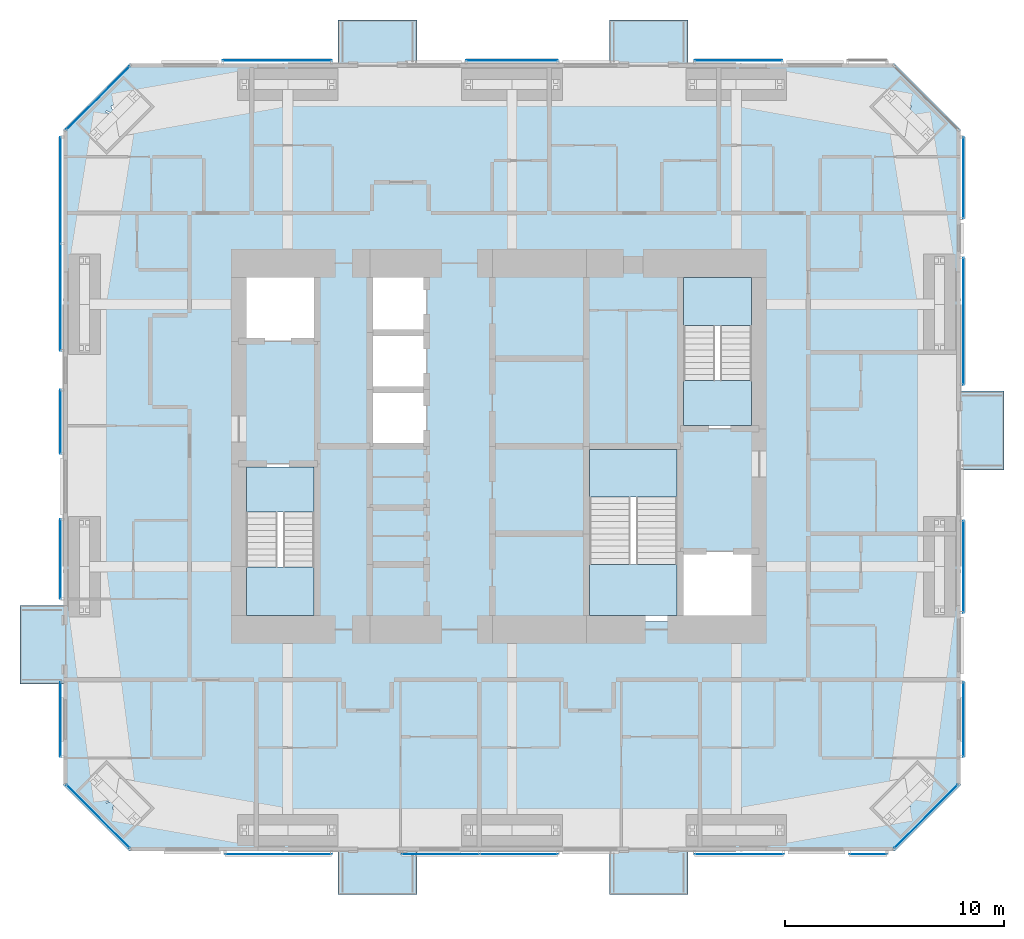
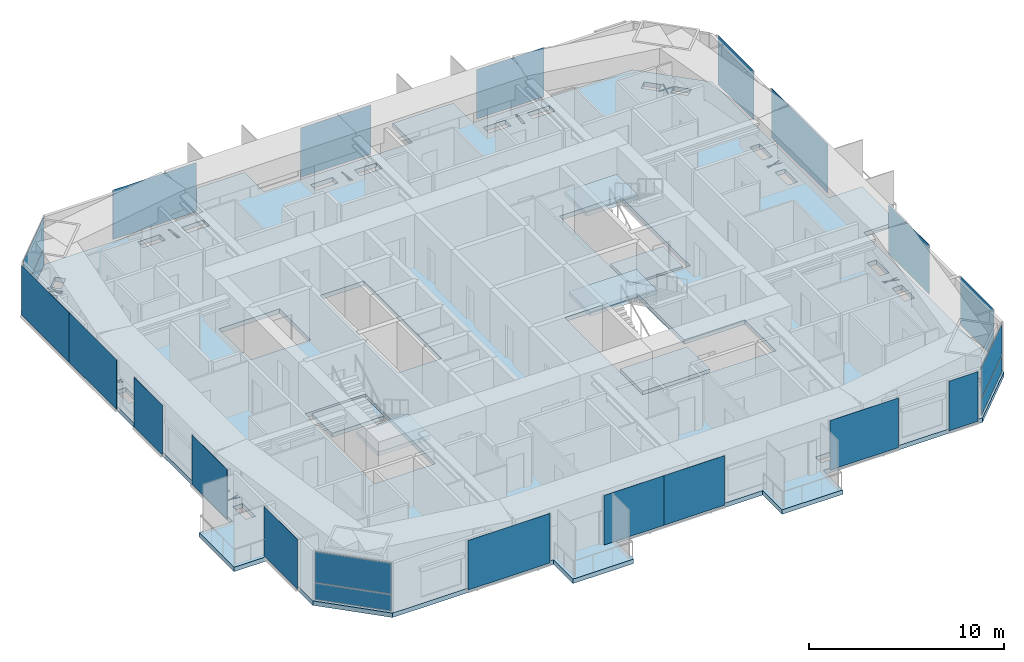
# One storey, part 14 of 22: 23 plates, 7 slabs, 21 elements without a shape of their own.
"""IFC4 building model written with IfcOpenShell, lengths in metres."""

from ifc_helpers import new_model, si_unit, direction, frame, origin, origin_2d, place, context, subcontext, project, spatial, polyline, rectangle, outline, extrude, material, layer, layer_set, type_object, element, aggregate, save


model = new_model("IFC4")

# Units and contexts
model_context = context("Model", 3, precision=1e-05, world=origin(), true_north=direction((0.0, 1.0)))
body_context = subcontext(model_context, "Body", "Model", "MODEL_VIEW")
ifc_project = project(units=[si_unit("LENGTHUNIT", "METRE"), si_unit("AREAUNIT", "SQUARE_METRE"), si_unit("VOLUMEUNIT", "CUBIC_METRE"), si_unit("PLANEANGLEUNIT", "RADIAN"), si_unit("MASSUNIT", "GRAM", prefix="KILO")], contexts=[model_context])

# Site, building, storey
site_placement = place(None, origin())
site = spatial("IfcSite", under=ifc_project, at=site_placement, CompositionType="ELEMENT")
building_placement = place(site_placement, origin())
building = spatial("IfcBuilding", under=site, at=building_placement, Name="Jalousie Tower", CompositionType="ELEMENT")
storey_placement = place(building_placement, frame((0.0, 0.0, 154.35009765625)))
storey = spatial("IfcBuildingStorey", under=building, at=storey_placement, Name="L41", CompositionType="ELEMENT", Elevation=154.35009765625)

# Curtain wall, plates
ifc_material_1 = material(Name="Aluminium curtain wall", Category="aluminium")
curtain_wall_type_1 = type_object("IfcCurtainWallType", Name="CORNER WINDOW WALL", PredefinedType="USERDEFINED", material=ifc_material_1)
curtain_wall_1_placement = place(storey_placement, origin())
curtain_wall_1 = element("IfcCurtainWall", 1, at=curtain_wall_1_placement, inside=storey, type_object=curtain_wall_type_1, Name="Corner Window Wall L41 2", ObjectType="CORNER WINDOW WALL", PredefinedType="USERDEFINED")
ifc_material_2 = material(Name="Laminated impact-rated spandrel glass", Category="glass")
ifc_layer_1 = layer(ifc_material_2, 0.028076171875)
ifc_layer_set_1 = layer_set([ifc_layer_1], Name="Laminated impact-rated spandrel glass")
plate_type_1 = type_object("IfcPlateType", Name="CORNER WINDOW WALL PANEL", PredefinedType="CURTAIN_PANEL", material=ifc_layer_set_1)
plate_1_placement = place(storey_placement, frame((51.4306640625, 1.5693359375, 0.06005859375), z_axis=(0.0, 0.0, 1.0), x_axis=(0.707106781187, 0.707106781187, 0.0)))
plate_1 = element("IfcPlate", 2, at=plate_1_placement, type_object=plate_type_1, Name="CW-C panel 1.1", PredefinedType="CURTAIN_PANEL", context=body_context, shape_type="SweptSolid", body=[
    extrude(rectangle(XDim=4.071533203125, YDim=0.028076171875, at=origin_2d()), origin(), (0.0, 0.0, 1.0), 1.010009765625),
])
plate_2_placement = place(storey_placement, frame((51.4306640625, 1.5693359375, 1.1298828125), z_axis=(0.0, 0.0, 1.0), x_axis=(0.707106781187, 0.707106781187, 0.0)))
plate_2 = element("IfcPlate", 3, at=plate_2_placement, type_object=plate_type_1, Name="CW-C panel 1.2", PredefinedType="CURTAIN_PANEL", context=body_context, shape_type="SweptSolid", body=[
    extrude(rectangle(XDim=4.071533203125, YDim=0.028076171875, at=origin_2d()), origin(), (0.0, 0.0, 1.0), 1.919921875),
])
aggregate(curtain_wall_1, [plate_1, plate_2])

curtain_wall_2_placement = place(storey_placement, origin())
curtain_wall_2 = element("IfcCurtainWall", 4, at=curtain_wall_2_placement, inside=storey, type_object=curtain_wall_type_1, Name="Corner Window Wall L41 6", ObjectType="CORNER WINDOW WALL", PredefinedType="USERDEFINED")
plate_3_placement = place(storey_placement, frame((13.5693359375, 34.4306640625, 0.06005859375), z_axis=(0.0, 0.0, 1.0), x_axis=(-0.707106781187, -0.707106781187, 0.0)))
plate_3 = element("IfcPlate", 5, at=plate_3_placement, type_object=plate_type_1, Name="CW-C panel 1.1", PredefinedType="CURTAIN_PANEL", context=body_context, shape_type="SweptSolid", body=[
    extrude(rectangle(XDim=4.071533203125, YDim=0.028076171875, at=origin_2d()), origin(), (0.0, 0.0, 1.0), 1.010009765625),
])
plate_4_placement = place(storey_placement, frame((13.5693359375, 34.4306640625, 1.1298828125), z_axis=(0.0, 0.0, 1.0), x_axis=(-0.707106781187, -0.707106781187, 0.0)))
plate_4 = element("IfcPlate", 6, at=plate_4_placement, type_object=plate_type_1, Name="CW-C panel 1.2", PredefinedType="CURTAIN_PANEL", context=body_context, shape_type="SweptSolid", body=[
    extrude(rectangle(XDim=4.071533203125, YDim=0.028076171875, at=origin_2d()), origin(), (0.0, 0.0, 1.0), 1.919921875),
])
aggregate(curtain_wall_2, [plate_3, plate_4])

curtain_wall_3_placement = place(storey_placement, origin())
curtain_wall_3 = element("IfcCurtainWall", 7, at=curtain_wall_3_placement, inside=storey, type_object=curtain_wall_type_1, Name="Corner Window Wall L41 8", ObjectType="CORNER WINDOW WALL", PredefinedType="USERDEFINED")
plate_5_placement = place(storey_placement, frame((13.5693359375, 1.5693359375, 0.06005859375), z_axis=(0.0, 0.0, 1.0), x_axis=(0.707106781187, -0.707106781187, 0.0)))
plate_5 = element("IfcPlate", 8, at=plate_5_placement, type_object=plate_type_1, Name="CW-C panel 1.1", PredefinedType="CURTAIN_PANEL", context=body_context, shape_type="SweptSolid", body=[
    extrude(rectangle(XDim=4.071533203125, YDim=0.028076171875, at=origin_2d()), origin(), (0.0, 0.0, 1.0), 1.010009765625),
])
plate_6_placement = place(storey_placement, frame((13.5693359375, 1.5693359375, 1.1298828125), z_axis=(0.0, 0.0, 1.0), x_axis=(0.707106781187, -0.707106781187, 0.0)))
plate_6 = element("IfcPlate", 9, at=plate_6_placement, type_object=plate_type_1, Name="CW-C panel 1.2", PredefinedType="CURTAIN_PANEL", context=body_context, shape_type="SweptSolid", body=[
    extrude(rectangle(XDim=4.071533203125, YDim=0.028076171875, at=origin_2d()), origin(), (0.0, 0.0, 1.0), 1.919921875),
])
aggregate(curtain_wall_3, [plate_5, plate_6])

# Slab
ifc_material_3 = material(Name="Concrete f'c 40 MPa", Category="concrete")
ifc_layer_2 = layer(ifc_material_3, 0.280029296875)
ifc_layer_set_2 = layer_set([ifc_layer_2], Name="Concrete f'c 40 MPa")
slab_type_1 = type_object("IfcSlabType", Name="FLOOR SLAB 280", PredefinedType="FLOOR", material=ifc_layer_set_2)
slab_1_placement = place(storey_placement, frame((0.0, 0.0, -0.280029296875)))
element("IfcSlab", 10, at=slab_1_placement, inside=storey, type_object=slab_type_1, Name="L41 floor slab", PredefinedType="FLOOR", context=body_context, shape_type="SweptSolid", body=[
    extrude(outline(polyline([(40.550048828125, 38.0), (40.550048828125, 36.0), (50.0, 36.0), (53.0, 33.0), (53.0, 21.02490234375), (55.0, 21.02490234375), (55.0, 17.425048828125), (53.0, 17.425048828125), (53.0, 3.0), (50.0, 0.0), (40.550048828125, 0.0), (40.550048828125, -2.0), (36.949951171875, -2.0), (36.949951171875, 0.0), (28.14990234375, 0.0), (28.14990234375, -2.0), (24.550048828125, -2.0), (24.550048828125, 0.0), (15.0, 0.0), (12.0, 3.0), (12.0, 7.625), (10.0, 7.625), (10.0, 11.22509765625), (12.0, 11.22509765625), (12.0, 33.0), (15.0, 36.0), (24.550048828125, 36.0), (24.550048828125, 38.0), (28.14990234375, 38.0), (28.14990234375, 36.0), (36.949951171875, 36.0), (36.949951171875, 38.0), (40.550048828125, 38.0)]), holes=[polyline([(52.050048828125, 13.0), (52.495361328125, 13.06494140625), (52.490966796875, 13.09521484375), (51.981201171875, 13.02099609375), (51.61962890625, 13.131591796875), (51.60693359375, 13.09033203125), (51.881103515625, 13.00634765625), (51.600341796875, 12.965576171875), (51.604736328125, 12.93505859375), (51.949951171875, 12.9853515625), (52.467529296875, 12.826904296875), (52.480224609375, 12.868408203125), (52.050048828125, 13.0)]), polyline([(51.624755859375, 24.852783203125), (51.98681640625, 24.978271484375), (52.490966796875, 24.90478515625), (52.495361328125, 24.93505859375), (52.050048828125, 25.0), (52.475341796875, 25.147216796875), (52.457763671875, 25.19775390625), (51.9345703125, 25.016845703125), (51.604736328125, 25.06494140625), (51.600341796875, 25.034423828125), (51.871337890625, 24.9951171875), (51.607177734375, 24.903564453125), (51.624755859375, 24.852783203125)]), polyline([(51.763916015625, 24.35400390625), (51.763916015625, 23.040283203125), (52.336181640625, 23.040283203125), (52.336181640625, 24.35400390625), (51.763916015625, 24.35400390625)]), polyline([(51.763916015625, 12.35400390625), (51.763916015625, 11.040283203125), (52.336181640625, 11.040283203125), (52.336181640625, 12.35400390625), (51.763916015625, 12.35400390625)]), polyline([(52.336181640625, 25.64599609375), (52.336181640625, 26.959716796875), (51.763916015625, 26.959716796875), (51.763916015625, 25.64599609375), (52.336181640625, 25.64599609375)]), polyline([(52.336181640625, 13.64599609375), (52.336181640625, 14.959716796875), (51.763916015625, 14.959716796875), (51.763916015625, 13.64599609375), (52.336181640625, 13.64599609375)]), polyline([(51.3330078125, 3.434814453125), (50.67724609375, 2.779052734375), (51.04638671875, 2.409912109375), (50.645263671875, 2.39404296875), (50.59130859375, 2.79443359375), (50.538330078125, 2.787353515625), (50.591552734375, 2.39208984375), (50.199951171875, 2.37646484375), (50.201904296875, 2.330810546875), (50.597900390625, 2.346435546875), (50.65869140625, 1.8955078125), (50.711669921875, 1.902587890625), (50.651611328125, 2.348388671875), (51.10107421875, 2.3662109375), (51.10009765625, 2.392333984375), (51.73779296875, 3.030029296875), (51.3330078125, 3.434814453125)]), polyline([(51.10107421875, 33.633056640625), (50.651611328125, 33.651611328125), (50.75439453125, 34.089599609375), (50.704345703125, 34.101318359375), (50.59912109375, 33.653564453125), (50.201904296875, 33.669921875), (50.198974609375, 33.597412109375), (50.58203125, 33.581787109375), (50.498291015625, 33.22509765625), (50.548583984375, 33.21337890625), (50.634521484375, 33.57958984375), (51.020263671875, 33.563720703125), (50.67724609375, 33.220947265625), (51.3330078125, 32.565185546875), (51.73779296875, 32.969970703125), (51.10009765625, 33.607666015625), (51.10107421875, 33.633056640625)]), polyline([(50.220947265625, 2.32275390625), (49.565185546875, 1.6669921875), (49.969970703125, 1.26220703125), (50.62548828125, 1.91796875), (50.220947265625, 2.32275390625)]), polyline([(50.62548828125, 34.08203125), (49.969970703125, 34.73779296875), (49.565185546875, 34.3330078125), (50.220947265625, 33.67724609375), (50.62548828125, 34.08203125)]), polyline([(43.39599609375, 34.763916015625), (44.709716796875, 34.763916015625), (44.709716796875, 35.336181640625), (43.39599609375, 35.336181640625), (43.39599609375, 34.763916015625)]), polyline([(43.39599609375, 0.663818359375), (44.709716796875, 0.663818359375), (44.709716796875, 1.236083984375), (43.39599609375, 1.236083984375), (43.39599609375, 0.663818359375)]), polyline([(43.800048828125, 26.5), (40.199951171875, 26.5), (40.199951171875, 19.300048828125), (43.800048828125, 19.300048828125), (43.800048828125, 26.5)]), polyline([(40.199951171875, 18.5), (35.89990234375, 18.5), (35.89990234375, 10.5), (43.800048828125, 10.5), (43.800048828125, 13.699951171875), (40.199951171875, 13.699951171875), (40.199951171875, 18.5)]), polyline([(42.64208984375, 1.386962890625), (42.72412109375, 1.0546875), (42.72412109375, 0.5), (42.75, 0.5), (42.75, 0.949951171875), (42.85791015625, 0.51318359375), (42.970947265625, 0.541015625), (42.755126953125, 1.414794921875), (42.64208984375, 1.386962890625)]), polyline([(42.785400390625, 35.49853515625), (42.76025390625, 35.50048828125), (42.689208984375, 34.603515625), (42.8330078125, 34.591796875), (42.90576171875, 35.489013671875), (42.786376953125, 35.49853515625), (42.75, 35.050048828125), (42.785400390625, 35.49853515625)]), polyline([(42.10400390625, 35.336181640625), (40.790283203125, 35.336181640625), (40.790283203125, 34.763916015625), (42.10400390625, 34.763916015625), (42.10400390625, 35.336181640625)]), polyline([(40.790283203125, 1.236083984375), (40.790283203125, 0.663818359375), (42.10400390625, 0.663818359375), (42.10400390625, 1.236083984375), (40.790283203125, 1.236083984375)]), polyline([(33.14599609375, 34.763916015625), (34.459716796875, 34.763916015625), (34.459716796875, 35.336181640625), (33.14599609375, 35.336181640625), (33.14599609375, 34.763916015625)]), polyline([(33.14599609375, 0.663818359375), (34.459716796875, 0.663818359375), (34.459716796875, 1.236083984375), (33.14599609375, 1.236083984375), (33.14599609375, 0.663818359375)]), polyline([(32.486083984375, 35.1630859375), (32.44287109375, 34.60302734375), (32.46533203125, 34.601318359375), (32.5, 35.050048828125), (32.5546875, 34.603271484375), (32.6328125, 34.61279296875), (32.53076171875, 35.447998046875), (32.53466796875, 35.498779296875), (32.5244140625, 35.49951171875), (32.523681640625, 35.506103515625), (32.4453125, 35.49658203125), (32.486083984375, 35.1630859375)]), polyline([(32.47705078125, 1.39990234375), (32.47705078125, 0.5), (32.57958984375, 0.5), (32.57958984375, 1.39990234375), (32.47705078125, 1.39990234375)]), polyline([(31.85400390625, 35.336181640625), (30.540283203125, 35.336181640625), (30.540283203125, 34.763916015625), (31.85400390625, 34.763916015625), (31.85400390625, 35.336181640625)]), polyline([(31.85400390625, 1.236083984375), (30.540283203125, 1.236083984375), (30.540283203125, 0.663818359375), (31.85400390625, 0.663818359375), (31.85400390625, 1.236083984375)]), polyline([(26.0, 26.5), (26.0, 18.5), (28.60009765625, 18.5), (28.60009765625, 26.5), (26.0, 26.5)]), polyline([(22.89599609375, 34.763916015625), (24.209716796875, 34.763916015625), (24.209716796875, 35.336181640625), (22.89599609375, 35.336181640625), (22.89599609375, 34.763916015625)]), polyline([(22.89599609375, 0.663818359375), (24.209716796875, 0.663818359375), (24.209716796875, 1.236083984375), (22.89599609375, 1.236083984375), (22.89599609375, 0.663818359375)]), polyline([(23.60009765625, 26.5), (20.0, 26.5), (20.0, 23.300048828125), (23.60009765625, 23.300048828125), (23.60009765625, 26.5)]), polyline([(23.60009765625, 17.699951171875), (20.0, 17.699951171875), (20.0, 10.5), (23.60009765625, 10.5), (23.60009765625, 17.699951171875)]), polyline([(22.21142578125, 35.498779296875), (22.184814453125, 35.49755859375), (22.2255859375, 34.598388671875), (22.2705078125, 34.6005859375), (22.25, 35.050048828125), (22.306640625, 34.603515625), (22.3896484375, 34.614013671875), (22.2763671875, 35.507080078125), (22.21142578125, 35.498779296875)]), polyline([(22.26806640625, 1.40185546875), (22.267578125, 1.39990234375), (22.25, 1.39990234375), (22.25, 1.271484375), (22.14501953125, 0.51025390625), (22.1884765625, 0.504150390625), (22.25, 0.949951171875), (22.25, 0.5), (22.334716796875, 0.5), (22.334716796875, 1.39990234375), (22.281005859375, 1.39990234375), (22.26806640625, 1.40185546875)]), polyline([(21.60400390625, 35.336181640625), (20.290283203125, 35.336181640625), (20.290283203125, 34.763916015625), (21.60400390625, 34.763916015625), (21.60400390625, 35.336181640625)]), polyline([(20.290283203125, 1.236083984375), (20.290283203125, 0.663818359375), (21.60400390625, 0.663818359375), (21.60400390625, 1.236083984375), (20.290283203125, 1.236083984375)]), polyline([(14.378662109375, 1.922119140625), (14.504638671875, 2.412109375), (14.765380859375, 2.518310546875), (14.7509765625, 2.55322265625), (14.5166015625, 2.4580078125), (14.591796875, 2.75048828125), (14.460693359375, 2.7841796875), (14.3603515625, 2.394287109375), (13.91748046875, 2.214111328125), (13.931640625, 2.178955078125), (14.348388671875, 2.348388671875), (14.236328125, 1.91259765625), (14.367431640625, 1.87890625), (14.376953125, 1.915283203125), (15.030029296875, 1.26220703125), (15.434814453125, 1.6669921875), (14.779052734375, 2.32275390625), (14.378662109375, 1.922119140625)]), polyline([(14.779052734375, 33.67724609375), (15.434814453125, 34.3330078125), (15.030029296875, 34.73779296875), (14.37451171875, 34.08203125), (14.779052734375, 33.67724609375)]), polyline([(13.9208984375, 33.803466796875), (14.38671875, 33.56689453125), (14.533203125, 33.240966796875), (14.6494140625, 33.293212890625), (14.56787109375, 33.474853515625), (14.723388671875, 33.395751953125), (14.749755859375, 33.447509765625), (14.52978515625, 33.559326171875), (14.2802734375, 34.1142578125), (14.1640625, 34.06201171875), (14.348388671875, 33.651611328125), (13.947509765625, 33.85546875), (13.9208984375, 33.803466796875)]), polyline([(13.91796875, 33.62548828125), (13.26220703125, 32.969970703125), (13.6669921875, 32.565185546875), (14.32275390625, 33.220947265625), (13.91796875, 33.62548828125)]), polyline([(14.32275390625, 2.779052734375), (13.6669921875, 3.434814453125), (13.26220703125, 3.030029296875), (13.91796875, 2.37451171875), (14.32275390625, 2.779052734375)]), polyline([(12.513427734375, 12.890869140625), (12.83203125, 12.970458984375), (13.388916015625, 12.89013671875), (13.3955078125, 12.935791015625), (12.949951171875, 13.0), (13.38671875, 13.109130859375), (13.379638671875, 13.13671875), (12.8759765625, 13.0107421875), (12.504638671875, 13.064208984375), (12.498046875, 13.018798828125), (12.758056640625, 12.981201171875), (12.506591796875, 12.918212890625), (12.513427734375, 12.890869140625)]), polyline([(12.513427734375, 25.109130859375), (12.506591796875, 25.081787109375), (12.729248046875, 25.02587890625), (12.49609375, 24.990234375), (12.505126953125, 24.931640625), (12.877685546875, 24.989013671875), (13.379638671875, 24.86328125), (13.38671875, 24.890869140625), (12.949951171875, 25.0), (13.394775390625, 25.068359375), (13.3857421875, 25.126953125), (12.801513671875, 25.037109375), (12.513427734375, 25.109130859375)]), polyline([(12.663818359375, 24.35400390625), (12.663818359375, 23.040283203125), (13.236083984375, 23.040283203125), (13.236083984375, 24.35400390625), (12.663818359375, 24.35400390625)]), polyline([(12.663818359375, 12.35400390625), (12.663818359375, 11.040283203125), (13.236083984375, 11.040283203125), (13.236083984375, 12.35400390625), (12.663818359375, 12.35400390625)]), polyline([(13.236083984375, 25.64599609375), (13.236083984375, 26.959716796875), (12.663818359375, 26.959716796875), (12.663818359375, 25.64599609375), (13.236083984375, 25.64599609375)]), polyline([(13.236083984375, 13.64599609375), (13.236083984375, 14.959716796875), (12.663818359375, 14.959716796875), (12.663818359375, 13.64599609375), (13.236083984375, 13.64599609375)])]), origin(), (0.0, 0.0, 1.0), 0.280029296875),
])

# Curtain wall, plate
ifc_material_4 = material(Name="Perforated aluminium sheet", Category="aluminium")
curtain_wall_type_2 = type_object("IfcCurtainWallType", Name="SOLAR SCREEN SS-1", PredefinedType="USERDEFINED", material=ifc_material_4)
curtain_wall_4_placement = place(storey_placement, origin())
curtain_wall_4 = element("IfcCurtainWall", 11, at=curtain_wall_4_placement, inside=storey, type_object=curtain_wall_type_2, Name="Solar screen L41", ObjectType="SOLAR SCREEN SS-1", PredefinedType="USERDEFINED")
ifc_material_5 = material(Name="Perforated aluminium sheet", Category="aluminium")
ifc_layer_3 = layer(ifc_material_5, 0.006103515625)
ifc_layer_set_3 = layer_set([ifc_layer_3], Name="Perforated aluminium sheet")
plate_type_2 = type_object("IfcPlateType", Name="SOLAR SCREEN SS-1 PANEL", PredefinedType="CURTAIN_PANEL", material=ifc_layer_set_3)
plate_7_placement = place(storey_placement, frame((21.812744140625, -0.150390625, 0.0), z_axis=(0.0, 0.0, 1.0), x_axis=(1.0, 0.0, 0.0)))
plate_7 = element("IfcPlate", 12, at=plate_7_placement, type_object=plate_type_2, Name="SS1 perforated panel 1", PredefinedType="CURTAIN_PANEL", context=body_context, shape_type="SweptSolid", body=[
    extrude(rectangle(XDim=4.874267578125, YDim=0.006103515625, at=origin_2d()), origin(), (0.0, 0.0, 1.0), 3.110107421875),
])
aggregate(curtain_wall_4, [plate_7])

# Curtain wall, plates
curtain_wall_5_placement = place(storey_placement, origin())
curtain_wall_5 = element("IfcCurtainWall", 13, at=curtain_wall_5_placement, inside=storey, type_object=curtain_wall_type_2, Name="Solar screen L41", ObjectType="SOLAR SCREEN SS-1", PredefinedType="USERDEFINED")
plate_8_placement = place(storey_placement, frame((29.237548828125, -0.150390625, 0.0), z_axis=(0.0, 0.0, 1.0), x_axis=(1.0, 0.0, 0.0)))
plate_8 = element("IfcPlate", 14, at=plate_8_placement, type_object=plate_type_2, Name="SS1 perforated panel 1", PredefinedType="CURTAIN_PANEL", context=body_context, shape_type="SweptSolid", body=[
    extrude(rectangle(XDim=3.574951171875, YDim=0.006103515625, at=origin_2d()), origin(), (0.0, 0.0, 1.0), 3.110107421875),
])
plate_9_placement = place(storey_placement, frame((32.8125, -0.150390625, 0.0), z_axis=(0.0, 0.0, 1.0), x_axis=(1.0, 0.0, 0.0)))
plate_9 = element("IfcPlate", 15, at=plate_9_placement, type_object=plate_type_2, Name="SS1 perforated panel 2", PredefinedType="CURTAIN_PANEL", context=body_context, shape_type="SweptSolid", body=[
    extrude(rectangle(XDim=3.574951171875, YDim=0.006103515625, at=origin_2d()), origin(), (0.0, 0.0, 1.0), 3.110107421875),
])
aggregate(curtain_wall_5, [plate_8, plate_9])

# Curtain wall, plate
curtain_wall_6_placement = place(storey_placement, origin())
curtain_wall_6 = element("IfcCurtainWall", 16, at=curtain_wall_6_placement, inside=storey, type_object=curtain_wall_type_2, Name="Solar screen L41", ObjectType="SOLAR SCREEN SS-1", PredefinedType="USERDEFINED")
plate_10_placement = place(storey_placement, frame((42.885986328125, -0.150390625, 0.0), z_axis=(0.0, 0.0, 1.0), x_axis=(1.0, 0.0, 0.0)))
plate_10 = element("IfcPlate", 17, at=plate_10_placement, type_object=plate_type_2, Name="SS1 perforated panel 1", PredefinedType="CURTAIN_PANEL", context=body_context, shape_type="SweptSolid", body=[
    extrude(rectangle(XDim=4.07177734375, YDim=0.006103515625, at=origin_2d()), origin(), (0.0, 0.0, 1.0), 3.110107421875),
])
aggregate(curtain_wall_6, [plate_10])

curtain_wall_7_placement = place(storey_placement, origin())
curtain_wall_7 = element("IfcCurtainWall", 18, at=curtain_wall_7_placement, inside=storey, type_object=curtain_wall_type_2, Name="Solar screen L41", ObjectType="SOLAR SCREEN SS-1", PredefinedType="USERDEFINED")
plate_11_placement = place(storey_placement, frame((48.78515625, -0.150390625, 0.0), z_axis=(0.0, 0.0, 1.0), x_axis=(1.0, 0.0, 0.0)))
plate_11 = element("IfcPlate", 19, at=plate_11_placement, type_object=plate_type_2, Name="SS1 perforated panel 1", PredefinedType="CURTAIN_PANEL", context=body_context, shape_type="SweptSolid", body=[
    extrude(rectangle(XDim=1.72705078125, YDim=0.006103515625, at=origin_2d()), origin(), (0.0, 0.0, 1.0), 3.110107421875),
])
aggregate(curtain_wall_7, [plate_11])

curtain_wall_8_placement = place(storey_placement, origin())
curtain_wall_8 = element("IfcCurtainWall", 20, at=curtain_wall_8_placement, inside=storey, type_object=curtain_wall_type_2, Name="Solar screen L41", ObjectType="SOLAR SCREEN SS-1", PredefinedType="USERDEFINED")
plate_12_placement = place(storey_placement, frame((53.150390625, 6.01318359375, 0.0), z_axis=(0.0, 0.0, 1.0), x_axis=(0.0, 1.0, 0.0)))
plate_12 = element("IfcPlate", 21, at=plate_12_placement, type_object=plate_type_2, Name="SS1 perforated panel 1", PredefinedType="CURTAIN_PANEL", context=body_context, shape_type="SweptSolid", body=[
    extrude(rectangle(XDim=3.42333984375, YDim=0.006103515625, at=origin_2d()), origin(), (0.0, 0.0, 1.0), 3.110107421875),
])
aggregate(curtain_wall_8, [plate_12])

curtain_wall_9_placement = place(storey_placement, origin())
curtain_wall_9 = element("IfcCurtainWall", 22, at=curtain_wall_9_placement, inside=storey, type_object=curtain_wall_type_2, Name="Solar screen L41", ObjectType="SOLAR SCREEN SS-1", PredefinedType="USERDEFINED")
plate_13_placement = place(storey_placement, frame((53.150390625, 13.0, 0.0), z_axis=(0.0, 0.0, 1.0), x_axis=(0.0, 1.0, 0.0)))
plate_13 = element("IfcPlate", 23, at=plate_13_placement, type_object=plate_type_2, Name="SS1 perforated panel 1", PredefinedType="CURTAIN_PANEL", context=body_context, shape_type="SweptSolid", body=[
    extrude(rectangle(XDim=4.199951171875, YDim=0.006103515625, at=origin_2d()), origin(), (0.0, 0.0, 1.0), 3.110107421875),
])
aggregate(curtain_wall_9, [plate_13])

curtain_wall_10_placement = place(storey_placement, origin())
curtain_wall_10 = element("IfcCurtainWall", 24, at=curtain_wall_10_placement, inside=storey, type_object=curtain_wall_type_2, Name="Solar screen L41", ObjectType="SOLAR SCREEN SS-1", PredefinedType="USERDEFINED")
plate_14_placement = place(storey_placement, frame((53.150390625, 24.224853515625, 0.0), z_axis=(0.0, 0.0, 1.0), x_axis=(0.0, 1.0, 0.0)))
plate_14 = element("IfcPlate", 25, at=plate_14_placement, type_object=plate_type_2, Name="SS1 perforated panel 1", PredefinedType="CURTAIN_PANEL", context=body_context, shape_type="SweptSolid", body=[
    extrude(rectangle(XDim=5.799560546875, YDim=0.006103515625, at=origin_2d()), origin(), (0.0, 0.0, 1.0), 3.110107421875),
])
aggregate(curtain_wall_10, [plate_14])

curtain_wall_11_placement = place(storey_placement, origin())
curtain_wall_11 = element("IfcCurtainWall", 26, at=curtain_wall_11_placement, inside=storey, type_object=curtain_wall_type_2, Name="Solar screen L41", ObjectType="SOLAR SCREEN SS-1", PredefinedType="USERDEFINED")
plate_15_placement = place(storey_placement, frame((53.150390625, 30.78662109375, 0.0), z_axis=(0.0, 0.0, 1.0), x_axis=(0.0, 1.0, 0.0)))
plate_15 = element("IfcPlate", 27, at=plate_15_placement, type_object=plate_type_2, Name="SS1 perforated panel 1", PredefinedType="CURTAIN_PANEL", context=body_context, shape_type="SweptSolid", body=[
    extrude(rectangle(XDim=3.72412109375, YDim=0.006103515625, at=origin_2d()), origin(), (0.0, 0.0, 1.0), 3.110107421875),
])
aggregate(curtain_wall_11, [plate_15])

curtain_wall_12_placement = place(storey_placement, origin())
curtain_wall_12 = element("IfcCurtainWall", 28, at=curtain_wall_12_placement, inside=storey, type_object=curtain_wall_type_2, Name="Solar screen L41", ObjectType="SOLAR SCREEN SS-1", PredefinedType="USERDEFINED")
plate_16_placement = place(storey_placement, frame((42.8544921875, 36.150390625, 0.0), z_axis=(0.0, 0.0, 1.0), x_axis=(-1.0, 0.0, 0.0)))
plate_16 = element("IfcPlate", 29, at=plate_16_placement, type_object=plate_type_2, Name="SS1 perforated panel 1", PredefinedType="CURTAIN_PANEL", context=body_context, shape_type="SweptSolid", body=[
    extrude(rectangle(XDim=4.00927734375, YDim=0.006103515625, at=origin_2d()), origin(), (0.0, 0.0, 1.0), 3.110107421875),
])
aggregate(curtain_wall_12, [plate_16])

curtain_wall_13_placement = place(storey_placement, origin())
curtain_wall_13 = element("IfcCurtainWall", 30, at=curtain_wall_13_placement, inside=storey, type_object=curtain_wall_type_2, Name="Solar screen L41", ObjectType="SOLAR SCREEN SS-1", PredefinedType="USERDEFINED")
plate_17_placement = place(storey_placement, frame((32.5, 36.150390625, 0.0), z_axis=(0.0, 0.0, 1.0), x_axis=(-1.0, 0.0, 0.0)))
plate_17 = element("IfcPlate", 31, at=plate_17_placement, type_object=plate_type_2, Name="SS1 perforated panel 1", PredefinedType="CURTAIN_PANEL", context=body_context, shape_type="SweptSolid", body=[
    extrude(rectangle(XDim=4.199951171875, YDim=0.006103515625, at=origin_2d()), origin(), (0.0, 0.0, 1.0), 3.110107421875),
])
aggregate(curtain_wall_13, [plate_17])

curtain_wall_14_placement = place(storey_placement, origin())
curtain_wall_14 = element("IfcCurtainWall", 32, at=curtain_wall_14_placement, inside=storey, type_object=curtain_wall_type_2, Name="Solar screen L41", ObjectType="SOLAR SCREEN SS-1", PredefinedType="USERDEFINED")
plate_18_placement = place(storey_placement, frame((21.7626953125, 36.150390625, 0.0), z_axis=(0.0, 0.0, 1.0), x_axis=(-1.0, 0.0, 0.0)))
plate_18 = element("IfcPlate", 33, at=plate_18_placement, type_object=plate_type_2, Name="SS1 perforated panel 1", PredefinedType="CURTAIN_PANEL", context=body_context, shape_type="SweptSolid", body=[
    extrude(rectangle(XDim=4.974365234375, YDim=0.006103515625, at=origin_2d()), origin(), (0.0, 0.0, 1.0), 3.110107421875),
])
aggregate(curtain_wall_14, [plate_18])

# Curtain wall, plates
curtain_wall_15_placement = place(storey_placement, origin())
curtain_wall_15 = element("IfcCurtainWall", 34, at=curtain_wall_15_placement, inside=storey, type_object=curtain_wall_type_2, Name="Solar screen L41", ObjectType="SOLAR SCREEN SS-1", PredefinedType="USERDEFINED")
plate_19_placement = place(storey_placement, frame((11.849609375, 30.20703125, 0.0), z_axis=(0.0, 0.0, 1.0), x_axis=(0.0, -1.0, 0.0)))
plate_19 = element("IfcPlate", 35, at=plate_19_placement, type_object=plate_type_2, Name="SS1 perforated panel 1", PredefinedType="CURTAIN_PANEL", context=body_context, shape_type="SweptSolid", body=[
    extrude(rectangle(XDim=4.88330078125, YDim=0.006103515625, at=origin_2d()), origin(), (0.0, 0.0, 1.0), 3.110107421875),
])
plate_20_placement = place(storey_placement, frame((11.849609375, 25.323486328125, 0.0), z_axis=(0.0, 0.0, 1.0), x_axis=(0.0, -1.0, 0.0)))
plate_20 = element("IfcPlate", 36, at=plate_20_placement, type_object=plate_type_2, Name="SS1 perforated panel 2", PredefinedType="CURTAIN_PANEL", context=body_context, shape_type="SweptSolid", body=[
    extrude(rectangle(XDim=4.88330078125, YDim=0.006103515625, at=origin_2d()), origin(), (0.0, 0.0, 1.0), 3.110107421875),
])
aggregate(curtain_wall_15, [plate_19, plate_20])

# Curtain wall, plate
curtain_wall_16_placement = place(storey_placement, origin())
curtain_wall_16 = element("IfcCurtainWall", 37, at=curtain_wall_16_placement, inside=storey, type_object=curtain_wall_type_2, Name="Solar screen L41", ObjectType="SOLAR SCREEN SS-1", PredefinedType="USERDEFINED")
plate_21_placement = place(storey_placement, frame((11.849609375, 19.623779296875, 0.0), z_axis=(0.0, 0.0, 1.0), x_axis=(0.0, -1.0, 0.0)))
plate_21 = element("IfcPlate", 38, at=plate_21_placement, type_object=plate_type_2, Name="SS1 perforated panel 1", PredefinedType="CURTAIN_PANEL", context=body_context, shape_type="SweptSolid", body=[
    extrude(rectangle(XDim=2.916015625, YDim=0.006103515625, at=origin_2d()), origin(), (0.0, 0.0, 1.0), 3.110107421875),
])
aggregate(curtain_wall_16, [plate_21])

curtain_wall_17_placement = place(storey_placement, origin())
curtain_wall_17 = element("IfcCurtainWall", 39, at=curtain_wall_17_placement, inside=storey, type_object=curtain_wall_type_2, Name="Solar screen L41", ObjectType="SOLAR SCREEN SS-1", PredefinedType="USERDEFINED")
plate_22_placement = place(storey_placement, frame((11.849609375, 13.345458984375, 0.0), z_axis=(0.0, 0.0, 1.0), x_axis=(0.0, -1.0, 0.0)))
plate_22 = element("IfcPlate", 40, at=plate_22_placement, type_object=plate_type_2, Name="SS1 perforated panel 1", PredefinedType="CURTAIN_PANEL", context=body_context, shape_type="SweptSolid", body=[
    extrude(rectangle(XDim=3.640869140625, YDim=0.006103515625, at=origin_2d()), origin(), (0.0, 0.0, 1.0), 3.110107421875),
])
aggregate(curtain_wall_17, [plate_22])

curtain_wall_18_placement = place(storey_placement, origin())
curtain_wall_18 = element("IfcCurtainWall", 41, at=curtain_wall_18_placement, inside=storey, type_object=curtain_wall_type_2, Name="Solar screen L41", ObjectType="SOLAR SCREEN SS-1", PredefinedType="USERDEFINED")
plate_23_placement = place(storey_placement, frame((11.849609375, 6.01318359375, 0.0), z_axis=(0.0, 0.0, 1.0), x_axis=(0.0, -1.0, 0.0)))
plate_23 = element("IfcPlate", 42, at=plate_23_placement, type_object=plate_type_2, Name="SS1 perforated panel 1", PredefinedType="CURTAIN_PANEL", context=body_context, shape_type="SweptSolid", body=[
    extrude(rectangle(XDim=3.42333984375, YDim=0.006103515625, at=origin_2d()), origin(), (0.0, 0.0, 1.0), 3.110107421875),
])
aggregate(curtain_wall_18, [plate_23])

# Stair, slabs
ifc_material_6 = material(Name="Concrete f'c 40 MPa", Category="concrete")
stair_type = type_object("IfcStairType", Name="EXIT STAIR", PredefinedType="HALF_TURN_STAIR", material=ifc_material_6)
stair_1_placement = place(storey_placement, origin())
stair_1 = element("IfcStair", 43, at=stair_1_placement, inside=storey, type_object=stair_type, Name="Exit stair A L41", PredefinedType="HALF_TURN_STAIR")
ifc_material_7 = material(Name="Concrete f'c 40 MPa", Category="concrete")
ifc_layer_4 = layer(ifc_material_7, 0.25)
ifc_layer_set_4 = layer_set([ifc_layer_4], Name="Concrete f'c 40 MPa")
slab_type_2 = type_object("IfcSlabType", Name="STAIR LANDING 250", PredefinedType="LANDING", material=ifc_layer_set_4)
slab_2_placement = place(storey_placement, frame((0.0, 0.0, -0.25)))
slab_2 = element("IfcSlab", 44, at=slab_2_placement, type_object=slab_type_2, Name="ST-A landing 1", PredefinedType="LANDING", context=body_context, shape_type="SweptSolid", body=[
    extrude(outline(polyline([(20.35009765625, 15.49755859375), (23.449951171875, 15.49755859375), (23.449951171875, 17.550048828125), (20.35009765625, 17.550048828125), (20.35009765625, 15.49755859375)])), origin(), (0.0, 0.0, 1.0), 0.25),
])
slab_3_placement = place(storey_placement, frame((0.0, 0.0, 1.4248046875)))
slab_3 = element("IfcSlab", 45, at=slab_3_placement, type_object=slab_type_2, Name="ST-A landing 2", PredefinedType="LANDING", context=body_context, shape_type="SweptSolid", body=[
    extrude(outline(polyline([(20.35009765625, 10.77490234375), (23.449951171875, 10.77490234375), (23.449951171875, 12.9775390625), (20.35009765625, 12.9775390625), (20.35009765625, 10.77490234375)])), origin(), (0.0, 0.0, 1.0), 0.25),
])
aggregate(stair_1, [slab_2, slab_3])

stair_2_placement = place(storey_placement, origin())
stair_2 = element("IfcStair", 46, at=stair_2_placement, inside=storey, type_object=stair_type, Name="Exit stair B L41", PredefinedType="HALF_TURN_STAIR")
slab_4_placement = place(storey_placement, frame((0.0, 0.0, -0.25)))
slab_4 = element("IfcSlab", 47, at=slab_4_placement, type_object=slab_type_2, Name="ST-B landing 1", PredefinedType="LANDING", context=body_context, shape_type="SweptSolid", body=[
    extrude(outline(polyline([(40.35009765625, 19.449951171875), (43.449951171875, 19.449951171875), (43.449951171875, 21.50244140625), (40.35009765625, 21.50244140625), (40.35009765625, 19.449951171875)])), origin(), (0.0, 0.0, 1.0), 0.25),
])
slab_5_placement = place(storey_placement, frame((0.0, 0.0, 1.4248046875)))
slab_5 = element("IfcSlab", 48, at=slab_5_placement, type_object=slab_type_2, Name="ST-B landing 2", PredefinedType="LANDING", context=body_context, shape_type="SweptSolid", body=[
    extrude(outline(polyline([(40.35009765625, 24.0224609375), (43.449951171875, 24.0224609375), (43.449951171875, 26.22509765625), (40.35009765625, 26.22509765625), (40.35009765625, 24.0224609375)])), origin(), (0.0, 0.0, 1.0), 0.25),
])
aggregate(stair_2, [slab_4, slab_5])

stair_3_placement = place(storey_placement, origin())
stair_3 = element("IfcStair", 49, at=stair_3_placement, inside=storey, type_object=stair_type, Name="Exit stair C L41", PredefinedType="HALF_TURN_STAIR")
slab_6_placement = place(storey_placement, frame((0.0, 0.0, -0.25)))
slab_6 = element("IfcSlab", 50, at=slab_6_placement, type_object=slab_type_2, Name="ST-C landing 1", PredefinedType="LANDING", context=body_context, shape_type="SweptSolid", body=[
    extrude(outline(polyline([(36.050048828125, 10.77490234375), (40.050048828125, 10.77490234375), (40.050048828125, 13.097412109375), (36.050048828125, 13.097412109375), (36.050048828125, 10.77490234375)])), origin(), (0.0, 0.0, 1.0), 0.25),
])
slab_7_placement = place(storey_placement, frame((0.0, 0.0, 1.4248046875)))
slab_7 = element("IfcSlab", 51, at=slab_7_placement, type_object=slab_type_2, Name="ST-C landing 2", PredefinedType="LANDING", context=body_context, shape_type="SweptSolid", body=[
    extrude(outline(polyline([(36.050048828125, 16.177490234375), (40.050048828125, 16.177490234375), (40.050048828125, 18.35009765625), (36.050048828125, 18.35009765625), (36.050048828125, 16.177490234375)])), origin(), (0.0, 0.0, 1.0), 0.25),
])
aggregate(stair_3, [slab_6, slab_7])

save(model, "model.ifc")
